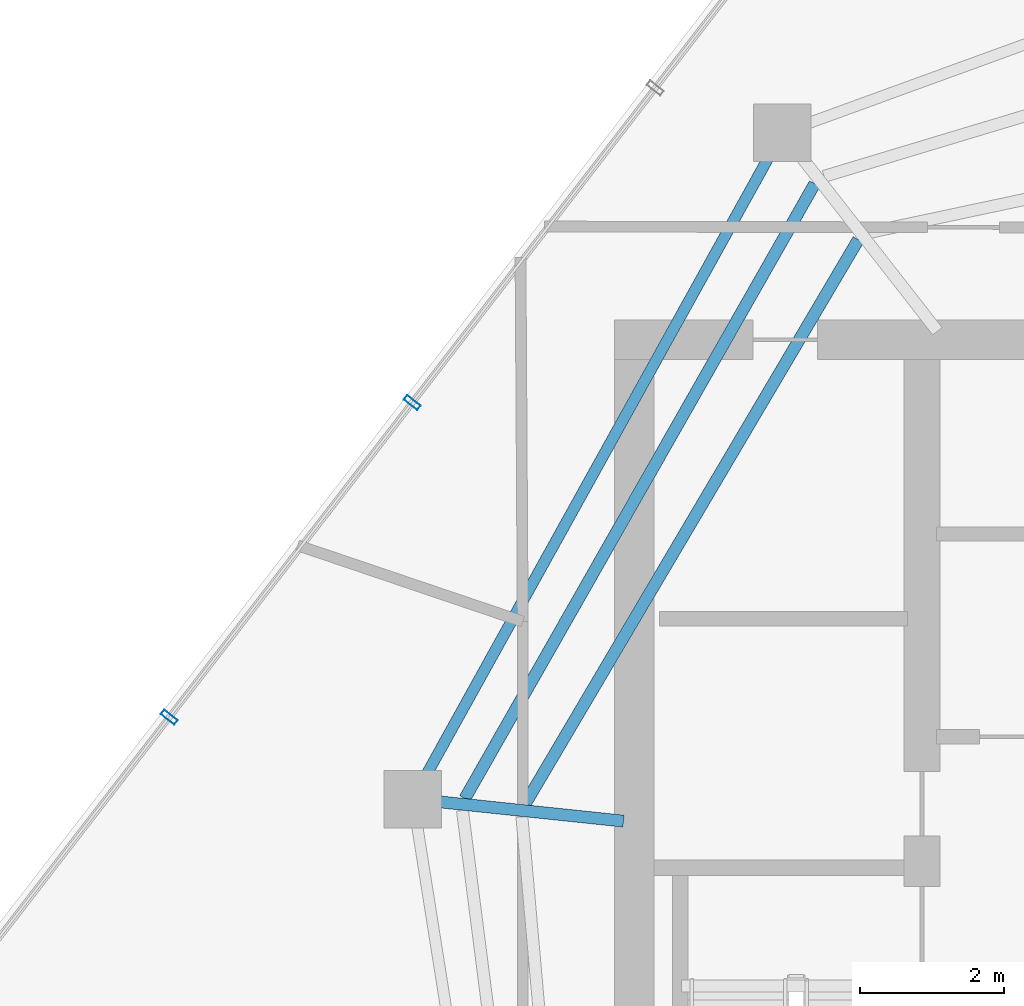
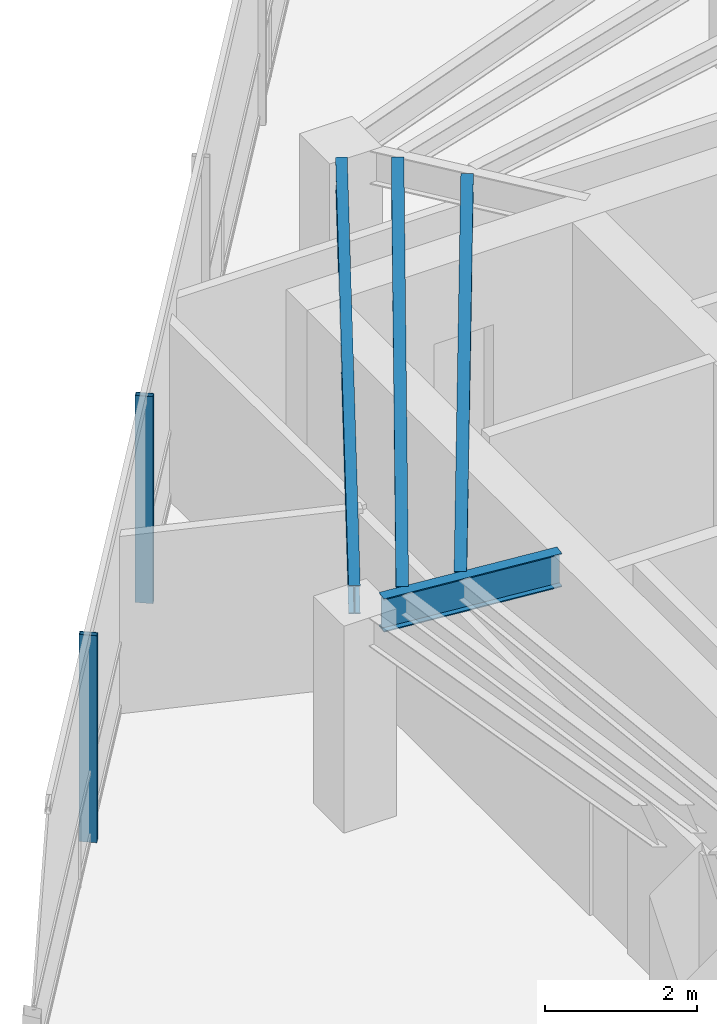
# One storey, part 6 of 19: 4 beams, 2 members, 1 element without a shape of its own.
"""IFC4 building model written with IfcOpenShell, lengths in metres."""

import ifcopenshell
import ifcopenshell.guid

model = None  # the IFC model being written
_history = None  # IfcOwnerHistory: only IFC2X3 demands one
_inside = {}  # id of a spatial element -> (the spatial element, [elements in it])
_under = {}  # id of a project, library or spatial element -> (it, [spatial elements below it])
_declared = {}  # id of a project -> (the project, [libraries it declares])
_typed = {}  # id of a type object -> (the type object, [elements of that type])
_made_of = {}  # id of a material, layer set ... -> (it, [elements and type objects made of it])


def new_model(schema):
    """Start an empty IFC model of exactly this schema.

    Asked for "IFC4X3", IfcOpenShell would pick the latest addendum, in which some entities
    have other attributes; the version numbers below select the first issue.
    IFC2X3 requires an IfcOwnerHistory on every rooted entity: one is made here for all.
    """
    global model, _history
    if schema == "IFC4X3":
        model = ifcopenshell.file(schema_version=(4, 3, 0, 0))
    else:
        model = ifcopenshell.file(schema=schema)
    _inside.clear()
    _under.clear()
    _declared.clear()
    _typed.clear()
    _made_of.clear()
    _history = None
    if model.schema == "IFC2X3":
        org = make("IfcOrganization", Name="unknown")
        user = make(
            "IfcPersonAndOrganization",
            ThePerson=make("IfcPerson", FamilyName="unknown"),
            TheOrganization=org,
        )
        app = make(
            "IfcApplication",
            ApplicationDeveloper=org,
            Version="unknown",
            ApplicationFullName="unknown",
            ApplicationIdentifier="unknown",
        )
        _history = make(
            "IfcOwnerHistory",
            OwningUser=user,
            OwningApplication=app,
            ChangeAction="ADDED",
            CreationDate=0,
        )
    return model


def make(cls, **values):
    """One entity of the class cls with the attributes given. An attribute that is None is left unset."""
    return model.create_entity(
        cls, **{name: value for name, value in values.items() if value is not None}
    )


def rooted(cls, **values):
    """An entity with a GlobalId (a new one), such as an element, a storey or a relation."""
    return make(cls, GlobalId=ifcopenshell.guid.new(), OwnerHistory=_history, **values)


def si_unit(unit_type, name, prefix=None):
    """IfcSIUnit, for example si_unit("LENGTHUNIT", "METRE", prefix="MILLI")."""
    return make("IfcSIUnit", UnitType=unit_type, Prefix=prefix, Name=name)


def assignment(units):
    """IfcUnitAssignment: the units of a project."""
    return None if units is None else make("IfcUnitAssignment", Units=units)


def point(xyz):
    """IfcCartesianPoint."""
    return None if xyz is None else make("IfcCartesianPoint", Coordinates=xyz)


def direction(xyz):
    """IfcDirection."""
    return None if xyz is None else make("IfcDirection", DirectionRatios=xyz)


def frame(location, z_axis=None, x_axis=None):
    """IfcAxis2Placement3D, a coordinate frame: its origin and axes. An axis left out is left unset."""
    return make(
        "IfcAxis2Placement3D",
        Location=point(location),
        Axis=direction(z_axis),
        RefDirection=direction(x_axis),
    )


def frame_2d(location, x_axis=None):
    """IfcAxis2Placement2D, a coordinate frame in the plane: its origin and x axis."""
    return make(
        "IfcAxis2Placement2D", Location=point(location), RefDirection=direction(x_axis)
    )


def origin():
    """The frame at (0, 0, 0) with its axes left unset."""
    return frame((0.0, 0.0, 0.0))


def origin_2d():
    """The frame at (0, 0) in the plane with its x axis left unset."""
    return frame_2d((0.0, 0.0))


def place(relative_to, where):
    """IfcLocalPlacement: puts the frame where relative to a parent placement (None: the world)."""
    return make(
        "IfcLocalPlacement", PlacementRelTo=relative_to, RelativePlacement=where
    )


def context(
    kind, dimensions, precision=None, world=None, true_north=None, identifier=None
):
    """IfcGeometricRepresentationContext, for example the 3D "Model" context."""
    return make(
        "IfcGeometricRepresentationContext",
        ContextIdentifier=identifier,
        ContextType=kind,
        CoordinateSpaceDimension=dimensions,
        Precision=precision,
        WorldCoordinateSystem=world,
        TrueNorth=true_north,
    )


def subcontext(parent, identifier, kind, view, scale=None):
    """IfcGeometricRepresentationSubContext, for example "Body" below "Model"."""
    return make(
        "IfcGeometricRepresentationSubContext",
        ContextIdentifier=identifier,
        ContextType=kind,
        ParentContext=parent,
        TargetScale=scale,
        TargetView=view,
    )


def project(units=None, contexts=None):
    """IfcProject with its units and contexts."""
    return rooted(
        "IfcProject",
        Name="project",
        RepresentationContexts=contexts,
        UnitsInContext=assignment(units),
    )


def spatial(cls, under=None, at=None, **own):
    """A site, building, storey or space (cls), placed at a placement, below another one or the project."""
    s = rooted(cls, ObjectPlacement=at, **own)
    if under is not None:
        _under.setdefault(under.id(), (under, []))[1].append(s)
    return s


def profile(cls, at=None, kind="AREA", **sizes):
    """A parametric profile (cls). Its sizes go by their IFC names, for example OverallWidth=200.0."""
    return make(cls, ProfileType=kind, Position=at, **sizes)


def hollow_rectangle(**sizes):
    """IfcRectangleHollowProfileDef."""
    return profile("IfcRectangleHollowProfileDef", **sizes)


def i_section(**sizes):
    """IfcIShapeProfileDef."""
    return profile("IfcIShapeProfileDef", **sizes)


def extrude(swept, where, along, depth):
    """IfcExtrudedAreaSolid: the profile swept, set in the frame where, extruded along a direction by depth."""
    return make(
        "IfcExtrudedAreaSolid",
        SweptArea=swept,
        Position=where,
        ExtrudedDirection=direction(along),
        Depth=depth,
    )


def shape(context_of_items, identifier, shape_type, items):
    """IfcShapeRepresentation: the items that make up one representation, for example the "Body"."""
    return make(
        "IfcShapeRepresentation",
        ContextOfItems=context_of_items,
        RepresentationIdentifier=identifier,
        RepresentationType=shape_type,
        Items=items,
    )


def material(Name=None, Category=None):
    """IfcMaterial."""
    return make("IfcMaterial", Name=Name, Category=Category)


def layer(
    of_material, thickness, ventilated=None, Name=None, Category=None, Priority=None
):
    """IfcMaterialLayer: one layer of a wall or slab, of a material (None: an air gap)."""
    return make(
        "IfcMaterialLayer",
        Material=of_material,
        LayerThickness=thickness,
        IsVentilated=ventilated,
        Name=Name,
        Category=Category,
        Priority=Priority,
    )


def layer_set(layers, Name=None):
    """IfcMaterialLayerSet."""
    return make("IfcMaterialLayerSet", MaterialLayers=layers, LayerSetName=Name)


def material_profile(
    of_material, cross_section, Name=None, Category=None, Priority=None
):
    """IfcMaterialProfile: a cross section and its material."""
    return make(
        "IfcMaterialProfile",
        Name=Name,
        Material=of_material,
        Profile=cross_section,
        Priority=Priority,
        Category=Category,
    )


def profile_set(profiles, Name=None, composite=None):
    """IfcMaterialProfileSet."""
    return make(
        "IfcMaterialProfileSet",
        Name=Name,
        MaterialProfiles=profiles,
        CompositeProfile=composite,
    )


def made_of(thing, what):
    """Note that an element or type object is made of a material, layer set ...; save() writes the relation."""
    if what is not None:
        _made_of.setdefault(what.id(), (what, []))[1].append(thing)
    return thing


def type_object(cls, material=None, **own):
    """A type object (cls), such as IfcWallType, which elements share."""
    return made_of(rooted(cls, **own), material)


def element(
    cls,
    number,
    at=None,
    inside=None,
    cuts=None,
    type_object=None,
    material=None,
    context=None,
    identifier="Body",
    shape_type=None,
    held_by="IfcProductDefinitionShape",
    body=None,
    shapes=None,
    **own,
):
    """One element of the class cls, such as IfcWall. Its Tag is "e" and its number.

    at: its placement. inside: the storey or other place that contains it. cuts: it is an
    opening in that element (IfcRelVoidsElement). A single representation is given by context,
    identifier, shape_type and body (its items); several are given by shapes. held_by: the class
    of the entity that holds the representations. save() writes the other relations.
    """
    e = rooted(cls, Tag="e%d" % number, ObjectPlacement=at, **own)
    if body is not None:
        shapes = [shape(context, identifier, shape_type, body)]
    if shapes is not None:
        e.Representation = make(held_by, Representations=shapes)
    if inside is not None:
        _inside.setdefault(inside.id(), (inside, []))[1].append(e)
    if cuts is not None:
        rooted(
            "IfcRelVoidsElement", RelatingBuildingElement=cuts, RelatedOpeningElement=e
        )
    if type_object is not None:
        _typed.setdefault(type_object.id(), (type_object, []))[1].append(e)
    return made_of(e, material)


def aggregate(whole, parts):
    """IfcRelAggregates: a whole, such as a stair, and the parts it consists of."""
    return rooted("IfcRelAggregates", RelatingObject=whole, RelatedObjects=parts)


def save(model, path):
    """Write the relations noted so far, then the file.

    IfcRelAggregates (storeys below a building ...), IfcRelContainedInSpatialStructure (elements
    in a storey), IfcRelDefinesByType, IfcRelAssociatesMaterial and IfcRelDeclares: one each for
    every whole, place, type object, material and project.
    """
    for whole, parts in _under.values():
        aggregate(whole, parts)
    for where, things in _inside.values():
        rooted(
            "IfcRelContainedInSpatialStructure",
            RelatedElements=things,
            RelatingStructure=where,
        )
    for kind, things in _typed.values():
        rooted("IfcRelDefinesByType", RelatedObjects=things, RelatingType=kind)
    for what, things in _made_of.values():
        rooted("IfcRelAssociatesMaterial", RelatedObjects=things, RelatingMaterial=what)
    for by, libraries in _declared.values():
        rooted("IfcRelDeclares", RelatingContext=by, RelatedDefinitions=libraries)
    model.write(path)


model = new_model("IFC4")

# Units and contexts
model_context = context("Model", 3, precision=1e-05, world=origin(), true_north=direction((0.0, 1.0)))
body_context = subcontext(model_context, "Body", "Model", "MODEL_VIEW")
ifc_project = project(units=[si_unit("LENGTHUNIT", "METRE"), si_unit("AREAUNIT", "SQUARE_METRE"), si_unit("VOLUMEUNIT", "CUBIC_METRE"), si_unit("PLANEANGLEUNIT", "RADIAN"), si_unit("MASSUNIT", "GRAM", prefix="KILO")], contexts=[model_context])

# Site, building, storey
site_placement = place(None, origin())
site = spatial("IfcSite", under=ifc_project, at=site_placement, CompositionType="ELEMENT")
building_placement = place(site_placement, origin())
building = spatial("IfcBuilding", under=site, at=building_placement, Name="Qarnah Convention Tower", CompositionType="ELEMENT")
storey_placement = place(building_placement, frame((0.0, 0.0, 264.300048828125)))
storey = spatial("IfcBuildingStorey", under=building, at=storey_placement, Name="L71", CompositionType="ELEMENT", Elevation=264.300048828125)

# Beams
ifc_material_1 = material(Name="Structural steel S355JR", Category="steel")
ifc_material_profile_1 = material_profile(ifc_material_1, i_section(OverallWidth=0.166015625, OverallDepth=0.31201171875, WebThickness=0.007080078125, FlangeThickness=0.010986328125, at=origin_2d()), Name="W310X45")
ifc_profile_set_1 = profile_set([ifc_material_profile_1], Name="Structural steel S355JR")
beam_type_1 = type_object("IfcBeamType", Name="BM-JST-W310", PredefinedType="JOIST", material=ifc_profile_set_1)
beam_1_placement = place(storey_placement, frame((29.30810546875, 36.366943359375, 3.1640625), z_axis=(-0.494589589693, -0.869126652317, 0.0), x_axis=(0.869126652317, -0.494589589693, 0.0)))
element("IfcBeam", 1, at=beam_1_placement, inside=storey, type_object=beam_type_1, Name="L71 joist BM-L71-SJST-04", PredefinedType="JOIST", context=body_context, shape_type="SweptSolid", body=[
    extrude(i_section(OverallWidth=0.166015625, OverallDepth=0.31201171875, WebThickness=0.007080078125, FlangeThickness=0.010986328125, at=origin_2d()), origin(), (0.0, 0.0, 1.0), 9.83056640625),
])
beam_2_placement = place(storey_placement, frame((29.9140625, 35.590087890625, 3.1640625), z_axis=(-0.508401010796, -0.861120440021, 0.0), x_axis=(0.861120440021, -0.508401010796, 0.0)))
element("IfcBeam", 2, at=beam_2_placement, inside=storey, type_object=beam_type_1, Name="L71 joist BM-L71-IJST-04", PredefinedType="JOIST", context=body_context, shape_type="SweptSolid", body=[
    extrude(i_section(OverallWidth=0.166015625, OverallDepth=0.31201171875, WebThickness=0.007080078125, FlangeThickness=0.010986328125, at=origin_2d()), origin(), (0.0, 0.0, 1.0), 9.12060546875),
])
ifc_material_profile_2 = material_profile(ifc_material_1, i_section(OverallWidth=0.166015625, OverallDepth=0.535888671875, WebThickness=0.010009765625, FlangeThickness=0.01708984375, at=origin_2d()), Name="W530X85")
ifc_profile_set_2 = profile_set([ifc_material_profile_2], Name="Structural steel S355JR")
beam_type_2 = type_object("IfcBeamType", Name="BM-RAD-W530B", PredefinedType="BEAM", material=ifc_profile_set_2)
beam_3_placement = place(storey_placement, frame((26.65087890625, 27.509033203125, 3.052001953125), z_axis=(-0.994564280912, 0.104124402207, 0.0), x_axis=(-0.104124402207, -0.994564280912, 0.0)))
element("IfcBeam", 3, at=beam_3_placement, inside=storey, type_object=beam_type_2, Name="L71 beam BM-L71-RAD-05", PredefinedType="BEAM", context=body_context, shape_type="SweptSolid", body=[
    extrude(i_section(OverallWidth=0.166015625, OverallDepth=0.535888671875, WebThickness=0.010009765625, FlangeThickness=0.01708984375, at=origin_2d()), origin(), (0.0, 0.0, 1.0), 2.562744140625),
])
ifc_material_profile_3 = material_profile(ifc_material_1, i_section(OverallWidth=0.154052734375, OverallDepth=0.4599609375, WebThickness=0.009033203125, FlangeThickness=0.014892578125, at=origin_2d()), Name="W460X68")
ifc_profile_set_3 = profile_set([ifc_material_profile_3], Name="Structural steel S355JR")
beam_type_3 = type_object("IfcBeamType", Name="BM-SPN-W460B", PredefinedType="SPANDREL", material=ifc_profile_set_3)
beam_4_placement = place(storey_placement, frame((28.6689453125, 36.737060546875, 3.08984375), z_axis=(-0.48479748752, -0.87462643231, 0.0), x_axis=(0.87462643231, -0.48479748752, 0.0)))
element("IfcBeam", 4, at=beam_4_placement, inside=storey, type_object=beam_type_3, Name="L71 spandrel BM-L71-SPN-04", PredefinedType="SPANDREL", context=body_context, shape_type="SweptSolid", body=[
    extrude(i_section(OverallWidth=0.154052734375, OverallDepth=0.4599609375, WebThickness=0.009033203125, FlangeThickness=0.014892578125, at=origin_2d()), origin(), (0.0, 0.0, 1.0), 9.81005859375),
])

# Curtain wall, members
ifc_material_2 = material(Name="Tempered Low-E dark glass", Category="glass")
ifc_layer = layer(ifc_material_2, 0.176025390625)
ifc_layer_set = layer_set([ifc_layer], Name="Tempered Low-E dark glass")
curtain_wall_type = type_object("IfcCurtainWallType", Name="CWS-05", PredefinedType="NOTDEFINED", material=ifc_layer_set)
curtain_wall_placement = place(storey_placement, origin())
curtain_wall = element("IfcCurtainWall", 5, at=curtain_wall_placement, inside=storey, type_object=curtain_wall_type, Name="L71 unitised curtain wall CW-L71-F2", PredefinedType="NOTDEFINED")
ifc_material_3 = material(Name="Black anodised aluminium", Category="aluminium")
ifc_material_profile_4 = material_profile(ifc_material_3, hollow_rectangle(XDim=0.080078125, YDim=0.239990234375, WallThickness=0.0048828125, at=origin_2d()), Name="MUL-80X240")
ifc_profile_set_4 = profile_set([ifc_material_profile_4], Name="Black anodised aluminium")
member_type = type_object("IfcMemberType", Name="MUL-T5", PredefinedType="MULLION", material=ifc_profile_set_4)
member_1_placement = place(storey_placement, frame((20.335693359375, 28.952880859375, 0.0), z_axis=(0.0, 0.0, 1.0), x_axis=(0.611290898886, 0.79140598743, 0.0)))
member_1 = element("IfcMember", 6, at=member_1_placement, type_object=member_type, Name="CW-L71-F2 mullion 2", PredefinedType="MULLION", context=body_context, shape_type="SweptSolid", body=[
    extrude(hollow_rectangle(XDim=0.080078125, YDim=0.239990234375, WallThickness=0.0048828125, at=origin_2d()), origin(), (0.0, 0.0, 1.0), 3.320068359375),
])
member_2_placement = place(storey_placement, frame((23.713134765625, 33.32568359375, 0.0), z_axis=(0.0, 0.0, 1.0), x_axis=(0.611290898886, 0.79140598743, 0.0)))
member_2 = element("IfcMember", 7, at=member_2_placement, type_object=member_type, Name="CW-L71-F2 mullion 3", PredefinedType="MULLION", context=body_context, shape_type="SweptSolid", body=[
    extrude(hollow_rectangle(XDim=0.080078125, YDim=0.239990234375, WallThickness=0.0048828125, at=origin_2d()), origin(), (0.0, 0.0, 1.0), 3.320068359375),
])
aggregate(curtain_wall, [member_1, member_2])

save(model, "model.ifc")
